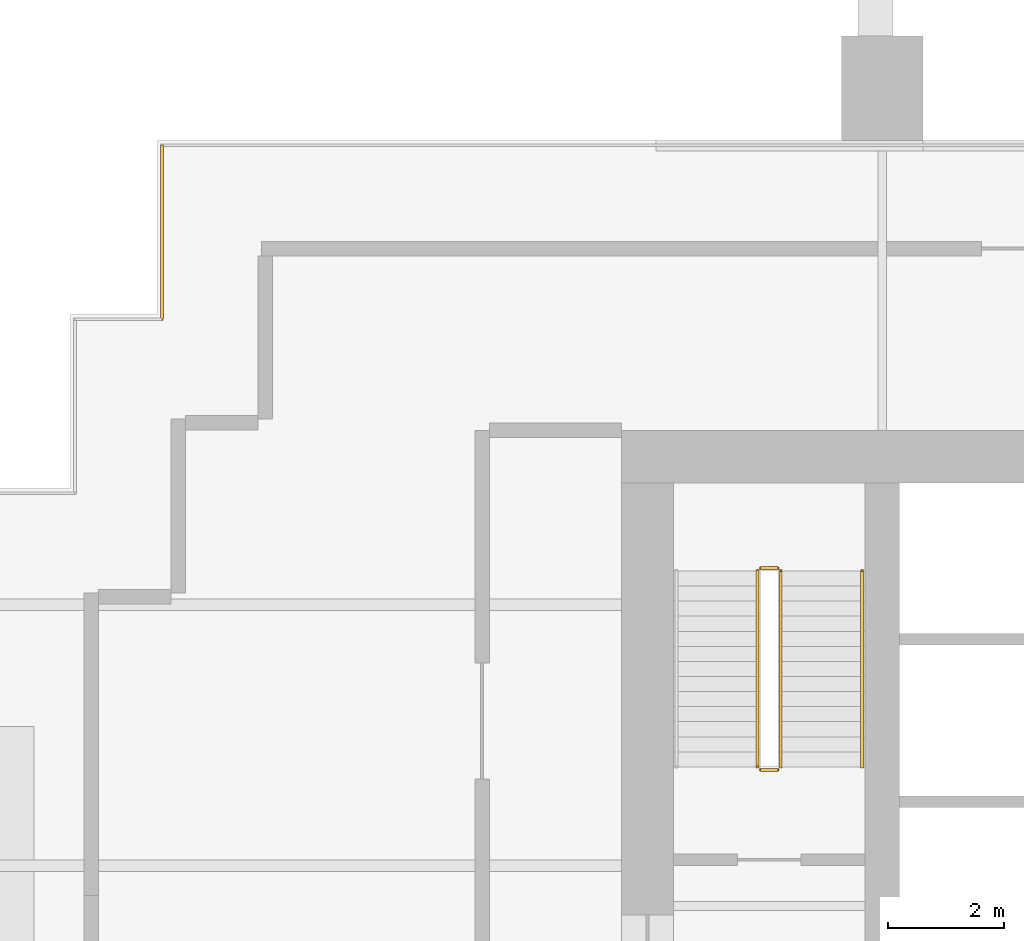
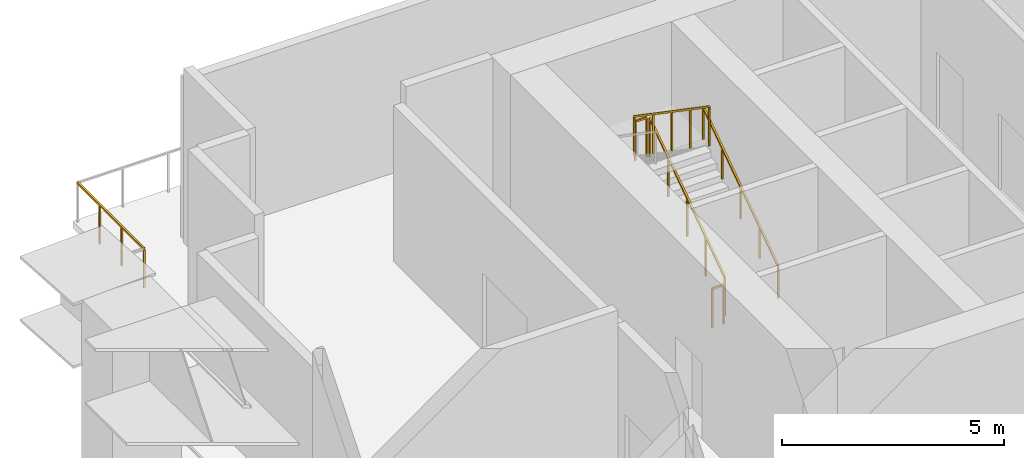
# One storey, part 7 of 9: 6 railings.
"""IFC4 building model written with IfcOpenShell, lengths in metres."""

from ifc_helpers import new_model, si_unit, direction, frame, origin, origin_2d, place, context, subcontext, project, spatial, rectangle, extrude, material, type_object, element, save


model = new_model("IFC4")

# Units and contexts
model_context = context("Model", 3, precision=1e-05, world=origin(), true_north=direction((0.0, 1.0)))
body_context = subcontext(model_context, "Body", "Model", "MODEL_VIEW")
ifc_project = project(units=[si_unit("LENGTHUNIT", "METRE"), si_unit("AREAUNIT", "SQUARE_METRE"), si_unit("VOLUMEUNIT", "CUBIC_METRE"), si_unit("PLANEANGLEUNIT", "RADIAN"), si_unit("MASSUNIT", "GRAM", prefix="KILO")], contexts=[model_context])

# Site, building, storey
site_placement = place(None, origin())
site = spatial("IfcSite", under=ifc_project, at=site_placement, CompositionType="ELEMENT")
building_placement = place(site_placement, origin())
building = spatial("IfcBuilding", under=site, at=building_placement, Name="Rattan Terrace Tower", CompositionType="ELEMENT")
storey_placement = place(building_placement, frame((0.0, 0.0, 158.10009765625)))
storey = spatial("IfcBuildingStorey", under=building, at=storey_placement, Name="L36", CompositionType="ELEMENT", Elevation=158.10009765625)

# Railings
ifc_material_1 = material(Name="Powder-coated steel guard", Category="steel")
railing_type_1 = type_object("IfcRailingType", Name="Core stair guard", PredefinedType="GUARDRAIL", material=ifc_material_1)
railing_1_placement = place(storey_placement, frame((-15.25, 1.699951171875, 0.178466796875)))
element("IfcRailing", 1, at=railing_1_placement, inside=storey, type_object=railing_type_1, Name="L36 S1 stair guard 1", PredefinedType="GUARDRAIL", context=body_context, shape_type="SweptSolid", body=[
    extrude(rectangle(XDim=0.048095703125, YDim=0.048095703125, at=origin_2d()), frame((0.0, 0.0, 1.076171875), z_axis=(0.0, 0.824304150675, 0.566147213346), x_axis=(-1.0, 0.0, 0.0)), (0.0, 0.0, 1.0), 4.1005859375),
    extrude(rectangle(XDim=0.0419921875, YDim=0.0419921875, at=origin_2d()), origin(), (0.0, 0.0, 1.0), 1.052001953125),
    extrude(rectangle(XDim=0.0419921875, YDim=0.0419921875, at=origin_2d()), frame((0.0, 0.844970703125, 0.580322265625)), (0.0, 0.0, 1.0), 1.052001953125),
    extrude(rectangle(XDim=0.0419921875, YDim=0.0419921875, at=origin_2d()), frame((0.0, 1.68994140625, 1.16064453125)), (0.0, 0.0, 1.0), 1.052001953125),
    extrude(rectangle(XDim=0.0419921875, YDim=0.0419921875, at=origin_2d()), frame((0.0, 2.53515625, 1.7412109375)), (0.0, 0.0, 1.0), 1.052001953125),
    extrude(rectangle(XDim=0.0419921875, YDim=0.0419921875, at=origin_2d()), frame((0.0, 3.380126953125, 2.321533203125)), (0.0, 0.0, 1.0), 1.052001953125),
])
railing_2_placement = place(storey_placement, frame((-15.300048828125, 5.1298828125, 2.5)))
element("IfcRailing", 2, at=railing_2_placement, inside=storey, type_object=railing_type_1, Name="L36 S1 stair guard 2", PredefinedType="GUARDRAIL", context=body_context, shape_type="SweptSolid", body=[
    extrude(rectangle(XDim=0.048095703125, YDim=0.048095703125, at=origin_2d()), frame((0.0, 0.0, 1.076171875), z_axis=(-1.0, 0.0, 0.0), x_axis=(0.0, -1.0, 0.0)), (0.0, 0.0, 1.0), 0.300048828125),
    extrude(rectangle(XDim=0.0419921875, YDim=0.0419921875, at=origin_2d()), origin(), (0.0, 0.0, 1.0), 1.052001953125),
    extrude(rectangle(XDim=0.0419921875, YDim=0.0419921875, at=origin_2d()), frame((-0.300048828125, 0.0, 0.0)), (0.0, 0.0, 1.0), 1.052001953125),
])
railing_3_placement = place(storey_placement, frame((-15.64990234375, 5.080078125, 2.678466796875)))
element("IfcRailing", 3, at=railing_3_placement, inside=storey, type_object=railing_type_1, Name="L36 S1 stair guard 3", PredefinedType="GUARDRAIL", context=body_context, shape_type="SweptSolid", body=[
    extrude(rectangle(XDim=0.048095703125, YDim=0.048095703125, at=origin_2d()), frame((0.0, 0.0, 1.076171875), z_axis=(0.0, -0.824304150675, 0.566147213346), x_axis=(1.0, 0.0, 0.0)), (0.0, 0.0, 1.0), 4.1005859375),
    extrude(rectangle(XDim=0.0419921875, YDim=0.0419921875, at=origin_2d()), origin(), (0.0, 0.0, 1.0), 1.052001953125),
    extrude(rectangle(XDim=0.0419921875, YDim=0.0419921875, at=origin_2d()), frame((0.0, -0.844970703125, 0.580322265625)), (0.0, 0.0, 1.0), 1.052001953125),
    extrude(rectangle(XDim=0.0419921875, YDim=0.0419921875, at=origin_2d()), frame((0.0, -1.68994140625, 1.16064453125)), (0.0, 0.0, 1.0), 1.052001953125),
    extrude(rectangle(XDim=0.0419921875, YDim=0.0419921875, at=origin_2d()), frame((0.0, -2.53515625, 1.7412109375)), (0.0, 0.0, 1.0), 1.052001953125),
    extrude(rectangle(XDim=0.0419921875, YDim=0.0419921875, at=origin_2d()), frame((0.0, -3.380126953125, 2.321533203125)), (0.0, 0.0, 1.0), 1.052001953125),
])
railing_4_placement = place(storey_placement, frame((-15.300048828125, 1.64990234375, 0.0)))
element("IfcRailing", 4, at=railing_4_placement, inside=storey, type_object=railing_type_1, Name="L36 S1 stair guard 4", PredefinedType="GUARDRAIL", context=body_context, shape_type="SweptSolid", body=[
    extrude(rectangle(XDim=0.048095703125, YDim=0.048095703125, at=origin_2d()), frame((0.0, 0.0, 1.076171875), z_axis=(-1.0, 0.0, 0.0), x_axis=(0.0, -1.0, 0.0)), (0.0, 0.0, 1.0), 0.300048828125),
    extrude(rectangle(XDim=0.0419921875, YDim=0.0419921875, at=origin_2d()), origin(), (0.0, 0.0, 1.0), 1.052001953125),
    extrude(rectangle(XDim=0.0419921875, YDim=0.0419921875, at=origin_2d()), frame((-0.300048828125, 0.0, 0.0)), (0.0, 0.0, 1.0), 1.052001953125),
])
ifc_material_2 = material(Name="Powder-coated steel handrail", Category="steel")
railing_type_2 = type_object("IfcRailingType", Name="Core stair handrail", PredefinedType="HANDRAIL", material=ifc_material_2)
railing_5_placement = place(storey_placement, frame((-13.85009765625, 1.699951171875, 0.178466796875)))
element("IfcRailing", 5, at=railing_5_placement, inside=storey, type_object=railing_type_2, Name="L36 S1 stair handrail 1", PredefinedType="HANDRAIL", context=body_context, shape_type="SweptSolid", body=[
    extrude(rectangle(XDim=0.048095703125, YDim=0.048095703125, at=origin_2d()), frame((0.0, 0.0, 0.8759765625), z_axis=(0.0, 0.824304150675, 0.566147213346), x_axis=(-1.0, 0.0, 0.0)), (0.0, 0.0, 1.0), 4.1005859375),
    extrude(rectangle(XDim=0.0419921875, YDim=0.0419921875, at=origin_2d()), origin(), (0.0, 0.0, 1.0), 0.851806640625),
    extrude(rectangle(XDim=0.0419921875, YDim=0.0419921875, at=origin_2d()), frame((0.0, 0.844970703125, 0.580322265625)), (0.0, 0.0, 1.0), 0.851806640625),
    extrude(rectangle(XDim=0.0419921875, YDim=0.0419921875, at=origin_2d()), frame((0.0, 1.68994140625, 1.16064453125)), (0.0, 0.0, 1.0), 0.851806640625),
    extrude(rectangle(XDim=0.0419921875, YDim=0.0419921875, at=origin_2d()), frame((0.0, 2.53515625, 1.7412109375)), (0.0, 0.0, 1.0), 0.851806640625),
    extrude(rectangle(XDim=0.0419921875, YDim=0.0419921875, at=origin_2d()), frame((0.0, 3.380126953125, 2.321533203125)), (0.0, 0.0, 1.0), 0.851806640625),
])
ifc_material_3 = material(Name="Stainless steel 316", Category="steel")
railing_type_3 = type_object("IfcRailingType", Name="Facade Guard 1100", PredefinedType="GUARDRAIL", material=ifc_material_3)
railing_6_placement = place(storey_placement, frame((-25.919921875, 9.419921875, 0.0)))
element("IfcRailing", 6, at=railing_6_placement, inside=storey, type_object=railing_type_3, Name="Guard L36-10", PredefinedType="GUARDRAIL", context=body_context, shape_type="SweptSolid", body=[
    extrude(rectangle(XDim=0.048095703125, YDim=0.048095703125, at=origin_2d()), frame((0.0, 0.0, 1.076171875), z_axis=(0.0, 1.0, 0.0), x_axis=(-1.0, 0.0, 0.0)), (0.0, 0.0, 1.0), 3.0),
    extrude(rectangle(XDim=0.0419921875, YDim=0.0419921875, at=origin_2d()), origin(), (0.0, 0.0, 1.0), 1.052001953125),
    extrude(rectangle(XDim=0.0419921875, YDim=0.0419921875, at=origin_2d()), frame((0.0, 1.0, 0.0)), (0.0, 0.0, 1.0), 1.052001953125),
    extrude(rectangle(XDim=0.0419921875, YDim=0.0419921875, at=origin_2d()), frame((0.0, 2.0, 0.0)), (0.0, 0.0, 1.0), 1.052001953125),
])

save(model, "model.ifc")
